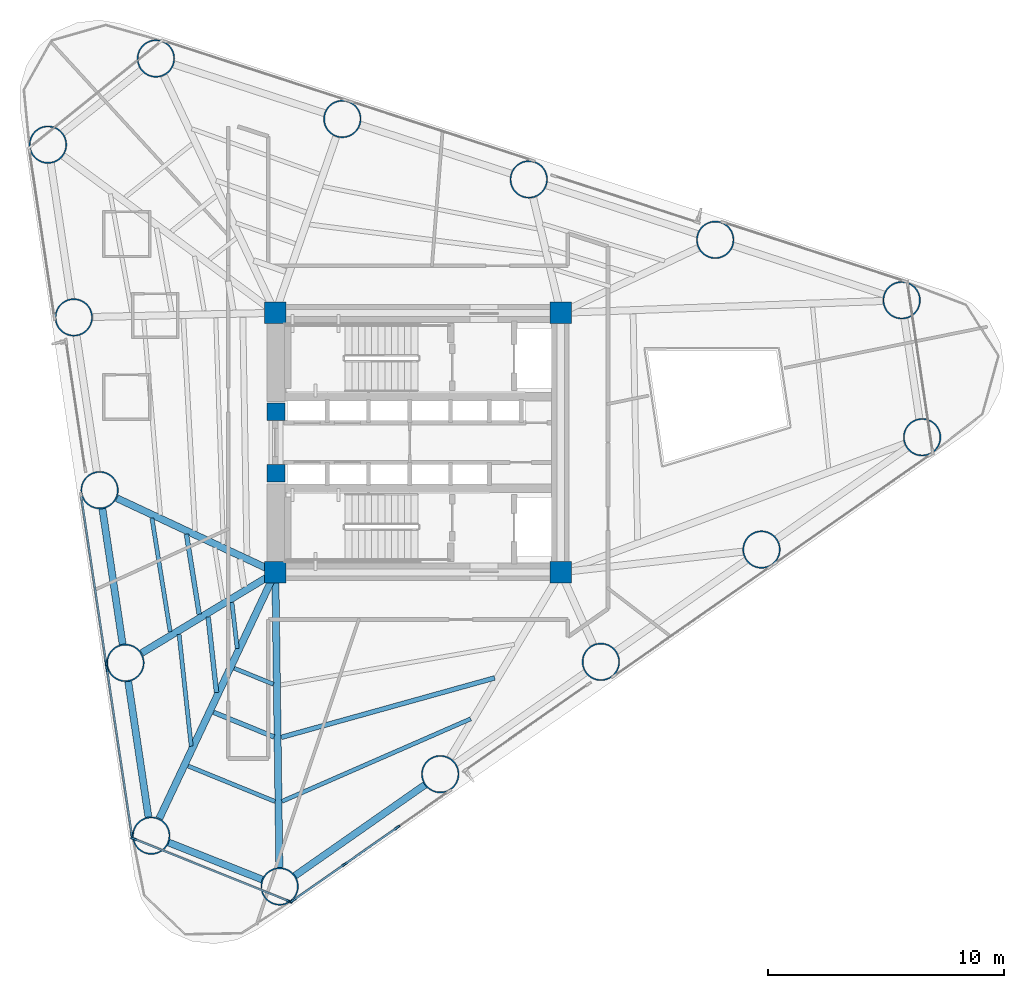
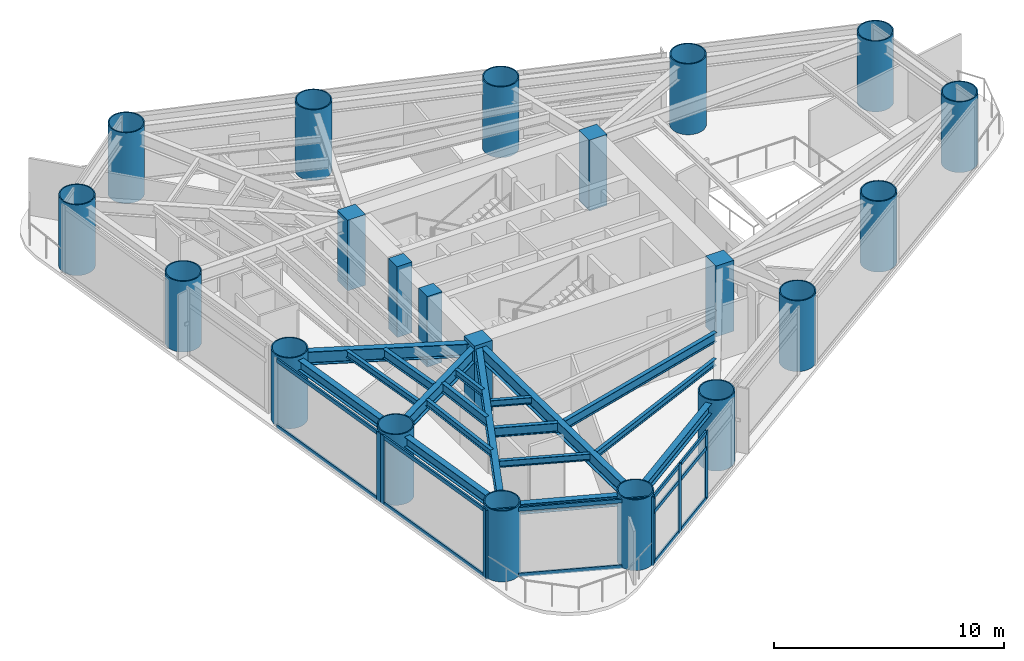
# One storey, part 1 of 9: 21 columns, 20 members, 18 beams, 4 elements without a shape of their own.
"""IFC4 building model written with IfcOpenShell, lengths in metres."""

import ifcopenshell
import ifcopenshell.guid

model = None  # the IFC model being written
_history = None  # IfcOwnerHistory: only IFC2X3 demands one
_inside = {}  # id of a spatial element -> (the spatial element, [elements in it])
_under = {}  # id of a project, library or spatial element -> (it, [spatial elements below it])
_declared = {}  # id of a project -> (the project, [libraries it declares])
_typed = {}  # id of a type object -> (the type object, [elements of that type])
_made_of = {}  # id of a material, layer set ... -> (it, [elements and type objects made of it])


def new_model(schema):
    """Start an empty IFC model of exactly this schema.

    Asked for "IFC4X3", IfcOpenShell would pick the latest addendum, in which some entities
    have other attributes; the version numbers below select the first issue.
    IFC2X3 requires an IfcOwnerHistory on every rooted entity: one is made here for all.
    """
    global model, _history
    if schema == "IFC4X3":
        model = ifcopenshell.file(schema_version=(4, 3, 0, 0))
    else:
        model = ifcopenshell.file(schema=schema)
    _inside.clear()
    _under.clear()
    _declared.clear()
    _typed.clear()
    _made_of.clear()
    _history = None
    if model.schema == "IFC2X3":
        org = make("IfcOrganization", Name="unknown")
        user = make(
            "IfcPersonAndOrganization",
            ThePerson=make("IfcPerson", FamilyName="unknown"),
            TheOrganization=org,
        )
        app = make(
            "IfcApplication",
            ApplicationDeveloper=org,
            Version="unknown",
            ApplicationFullName="unknown",
            ApplicationIdentifier="unknown",
        )
        _history = make(
            "IfcOwnerHistory",
            OwningUser=user,
            OwningApplication=app,
            ChangeAction="ADDED",
            CreationDate=0,
        )
    return model


def make(cls, **values):
    """One entity of the class cls with the attributes given. An attribute that is None is left unset."""
    return model.create_entity(
        cls, **{name: value for name, value in values.items() if value is not None}
    )


def rooted(cls, **values):
    """An entity with a GlobalId (a new one), such as an element, a storey or a relation."""
    return make(cls, GlobalId=ifcopenshell.guid.new(), OwnerHistory=_history, **values)


def si_unit(unit_type, name, prefix=None):
    """IfcSIUnit, for example si_unit("LENGTHUNIT", "METRE", prefix="MILLI")."""
    return make("IfcSIUnit", UnitType=unit_type, Prefix=prefix, Name=name)


def assignment(units):
    """IfcUnitAssignment: the units of a project."""
    return None if units is None else make("IfcUnitAssignment", Units=units)


def point(xyz):
    """IfcCartesianPoint."""
    return None if xyz is None else make("IfcCartesianPoint", Coordinates=xyz)


def direction(xyz):
    """IfcDirection."""
    return None if xyz is None else make("IfcDirection", DirectionRatios=xyz)


def frame(location, z_axis=None, x_axis=None):
    """IfcAxis2Placement3D, a coordinate frame: its origin and axes. An axis left out is left unset."""
    return make(
        "IfcAxis2Placement3D",
        Location=point(location),
        Axis=direction(z_axis),
        RefDirection=direction(x_axis),
    )


def frame_2d(location, x_axis=None):
    """IfcAxis2Placement2D, a coordinate frame in the plane: its origin and x axis."""
    return make(
        "IfcAxis2Placement2D", Location=point(location), RefDirection=direction(x_axis)
    )


def origin():
    """The frame at (0, 0, 0) with its axes left unset."""
    return frame((0.0, 0.0, 0.0))


def origin_2d():
    """The frame at (0, 0) in the plane with its x axis left unset."""
    return frame_2d((0.0, 0.0))


def place(relative_to, where):
    """IfcLocalPlacement: puts the frame where relative to a parent placement (None: the world)."""
    return make(
        "IfcLocalPlacement", PlacementRelTo=relative_to, RelativePlacement=where
    )


def context(
    kind, dimensions, precision=None, world=None, true_north=None, identifier=None
):
    """IfcGeometricRepresentationContext, for example the 3D "Model" context."""
    return make(
        "IfcGeometricRepresentationContext",
        ContextIdentifier=identifier,
        ContextType=kind,
        CoordinateSpaceDimension=dimensions,
        Precision=precision,
        WorldCoordinateSystem=world,
        TrueNorth=true_north,
    )


def subcontext(parent, identifier, kind, view, scale=None):
    """IfcGeometricRepresentationSubContext, for example "Body" below "Model"."""
    return make(
        "IfcGeometricRepresentationSubContext",
        ContextIdentifier=identifier,
        ContextType=kind,
        ParentContext=parent,
        TargetScale=scale,
        TargetView=view,
    )


def project(units=None, contexts=None):
    """IfcProject with its units and contexts."""
    return rooted(
        "IfcProject",
        Name="project",
        RepresentationContexts=contexts,
        UnitsInContext=assignment(units),
    )


def spatial(cls, under=None, at=None, **own):
    """A site, building, storey or space (cls), placed at a placement, below another one or the project."""
    s = rooted(cls, ObjectPlacement=at, **own)
    if under is not None:
        _under.setdefault(under.id(), (under, []))[1].append(s)
    return s


def profile(cls, at=None, kind="AREA", **sizes):
    """A parametric profile (cls). Its sizes go by their IFC names, for example OverallWidth=200.0."""
    return make(cls, ProfileType=kind, Position=at, **sizes)


def rectangle(**sizes):
    """IfcRectangleProfileDef."""
    return profile("IfcRectangleProfileDef", **sizes)


def hollow_circle(**sizes):
    """IfcCircleHollowProfileDef."""
    return profile("IfcCircleHollowProfileDef", **sizes)


def i_section(**sizes):
    """IfcIShapeProfileDef."""
    return profile("IfcIShapeProfileDef", **sizes)


def extrude(swept, where, along, depth):
    """IfcExtrudedAreaSolid: the profile swept, set in the frame where, extruded along a direction by depth."""
    return make(
        "IfcExtrudedAreaSolid",
        SweptArea=swept,
        Position=where,
        ExtrudedDirection=direction(along),
        Depth=depth,
    )


def shape(context_of_items, identifier, shape_type, items):
    """IfcShapeRepresentation: the items that make up one representation, for example the "Body"."""
    return make(
        "IfcShapeRepresentation",
        ContextOfItems=context_of_items,
        RepresentationIdentifier=identifier,
        RepresentationType=shape_type,
        Items=items,
    )


def source(mapping_origin, context_of_items, identifier, shape_type, items):
    """IfcRepresentationMap: a shape defined once, which mapped items show again and again."""
    return make(
        "IfcRepresentationMap",
        MappingOrigin=mapping_origin,
        MappedRepresentation=shape(context_of_items, identifier, shape_type, items),
    )


def transform(
    local_origin,
    x_axis=None,
    y_axis=None,
    z_axis=None,
    scale=None,
    scale2=None,
    scale3=None,
    uniform=True,
):
    """IfcCartesianTransformationOperator3D, or its non-uniform kind. x_axis, y_axis, z_axis: its Axis1, 2, 3."""
    if uniform:
        return make(
            "IfcCartesianTransformationOperator3D",
            Axis1=direction(x_axis),
            Axis2=direction(y_axis),
            LocalOrigin=point(local_origin),
            Scale=scale,
            Axis3=direction(z_axis),
        )
    return make(
        "IfcCartesianTransformationOperator3DnonUniform",
        Axis1=direction(x_axis),
        Axis2=direction(y_axis),
        LocalOrigin=point(local_origin),
        Scale=scale,
        Axis3=direction(z_axis),
        Scale2=scale2,
        Scale3=scale3,
    )


def mapped(mapping_source, mapping_target):
    """IfcMappedItem: shows the shape of a source again, moved by a transform."""
    return make(
        "IfcMappedItem", MappingSource=mapping_source, MappingTarget=mapping_target
    )


def material(Name=None, Category=None):
    """IfcMaterial."""
    return make("IfcMaterial", Name=Name, Category=Category)


def layer(
    of_material, thickness, ventilated=None, Name=None, Category=None, Priority=None
):
    """IfcMaterialLayer: one layer of a wall or slab, of a material (None: an air gap)."""
    return make(
        "IfcMaterialLayer",
        Material=of_material,
        LayerThickness=thickness,
        IsVentilated=ventilated,
        Name=Name,
        Category=Category,
        Priority=Priority,
    )


def layer_set(layers, Name=None):
    """IfcMaterialLayerSet."""
    return make("IfcMaterialLayerSet", MaterialLayers=layers, LayerSetName=Name)


def material_profile(
    of_material, cross_section, Name=None, Category=None, Priority=None
):
    """IfcMaterialProfile: a cross section and its material."""
    return make(
        "IfcMaterialProfile",
        Name=Name,
        Material=of_material,
        Profile=cross_section,
        Priority=Priority,
        Category=Category,
    )


def profile_set(profiles, Name=None, composite=None):
    """IfcMaterialProfileSet."""
    return make(
        "IfcMaterialProfileSet",
        Name=Name,
        MaterialProfiles=profiles,
        CompositeProfile=composite,
    )


def made_of(thing, what):
    """Note that an element or type object is made of a material, layer set ...; save() writes the relation."""
    if what is not None:
        _made_of.setdefault(what.id(), (what, []))[1].append(thing)
    return thing


def type_object(cls, material=None, **own):
    """A type object (cls), such as IfcWallType, which elements share."""
    return made_of(rooted(cls, **own), material)


def element(
    cls,
    number,
    at=None,
    inside=None,
    cuts=None,
    type_object=None,
    material=None,
    context=None,
    identifier="Body",
    shape_type=None,
    held_by="IfcProductDefinitionShape",
    body=None,
    shapes=None,
    **own,
):
    """One element of the class cls, such as IfcWall. Its Tag is "e" and its number.

    at: its placement. inside: the storey or other place that contains it. cuts: it is an
    opening in that element (IfcRelVoidsElement). A single representation is given by context,
    identifier, shape_type and body (its items); several are given by shapes. held_by: the class
    of the entity that holds the representations. save() writes the other relations.
    """
    e = rooted(cls, Tag="e%d" % number, ObjectPlacement=at, **own)
    if body is not None:
        shapes = [shape(context, identifier, shape_type, body)]
    if shapes is not None:
        e.Representation = make(held_by, Representations=shapes)
    if inside is not None:
        _inside.setdefault(inside.id(), (inside, []))[1].append(e)
    if cuts is not None:
        rooted(
            "IfcRelVoidsElement", RelatingBuildingElement=cuts, RelatedOpeningElement=e
        )
    if type_object is not None:
        _typed.setdefault(type_object.id(), (type_object, []))[1].append(e)
    return made_of(e, material)


def aggregate(whole, parts):
    """IfcRelAggregates: a whole, such as a stair, and the parts it consists of."""
    return rooted("IfcRelAggregates", RelatingObject=whole, RelatedObjects=parts)


def save(model, path):
    """Write the relations noted so far, then the file.

    IfcRelAggregates (storeys below a building ...), IfcRelContainedInSpatialStructure (elements
    in a storey), IfcRelDefinesByType, IfcRelAssociatesMaterial and IfcRelDeclares: one each for
    every whole, place, type object, material and project.
    """
    for whole, parts in _under.values():
        aggregate(whole, parts)
    for where, things in _inside.values():
        rooted(
            "IfcRelContainedInSpatialStructure",
            RelatedElements=things,
            RelatingStructure=where,
        )
    for kind, things in _typed.values():
        rooted("IfcRelDefinesByType", RelatedObjects=things, RelatingType=kind)
    for what, things in _made_of.values():
        rooted("IfcRelAssociatesMaterial", RelatedObjects=things, RelatingMaterial=what)
    for by, libraries in _declared.values():
        rooted("IfcRelDeclares", RelatingContext=by, RelatedDefinitions=libraries)
    model.write(path)


model = new_model("IFC4")

# Units and contexts
model_context = context("Model", 3, precision=1e-05, world=origin(), true_north=direction((0.0, 1.0)))
body_context = subcontext(model_context, "Body", "Model", "MODEL_VIEW")
ifc_project = project(units=[si_unit("LENGTHUNIT", "METRE"), si_unit("AREAUNIT", "SQUARE_METRE"), si_unit("VOLUMEUNIT", "CUBIC_METRE"), si_unit("PLANEANGLEUNIT", "RADIAN"), si_unit("MASSUNIT", "GRAM", prefix="KILO")], contexts=[model_context])

# Site, building, storey
site_placement = place(None, origin())
site = spatial("IfcSite", under=ifc_project, at=site_placement, CompositionType="ELEMENT")
building_placement = place(site_placement, origin())
building = spatial("IfcBuilding", under=site, at=building_placement, Name="Yunling Apex Tower", CompositionType="ELEMENT")
storey_placement = place(building_placement, frame((0.0, 0.0, 62.300048828125)))
storey = spatial("IfcBuildingStorey", under=building, at=storey_placement, Name="L16", CompositionType="ELEMENT", Elevation=62.300048828125)

# Columns
ifc_material_1 = material(Name="Concrete C60", Category="concrete")
ifc_material_profile_1 = material_profile(ifc_material_1, rectangle(XDim=0.89990234375, YDim=0.89990234375, at=origin_2d()))
ifc_profile_set_1 = profile_set([ifc_material_profile_1], Name="Concrete C60")
column_type_1 = type_object("IfcColumnType", Name="PC-SRC-3", PredefinedType="COLUMN", material=ifc_profile_set_1)
shared_shape_1 = source(origin(), body_context, "Body", "SweptSolid", [
    extrude(rectangle(XDim=0.89990234375, YDim=0.89990234375, at=origin_2d()), origin(), (0.0, 0.0, 1.0), 3.75),
])
for number, where, z_axis, x_axis, name in (
    (1, (-6.050048828125, -5.5, 0.0), (0.0, 0.0, 1.0), (1.0, 0.0, 0.0), "L16 Core Spine Column CC-SW"),
    (2, (6.050048828125, -5.5, 0.0), (0.0, 0.0, 1.0), (1.0, 0.0, 0.0), "L16 Core Spine Column CC-SE"),
    (3, (6.050048828125, 5.5, 0.0), (0.0, 0.0, 1.0), (1.0, 0.0, 0.0), "L16 Core Spine Column CC-NE"),
    (4, (-6.050048828125, 5.5, 0.0), (0.0, 0.0, 1.0), (1.0, 0.0, 0.0), "L16 Core Spine Column CC-NW"),
):
    element("IfcColumn", number, at=place(storey_placement, frame(where, z_axis=z_axis, x_axis=x_axis)), inside=storey, type_object=column_type_1, Name=name, PredefinedType="COLUMN", context=body_context, shape_type="MappedRepresentation", body=[
        mapped(shared_shape_1, transform((0.0, 0.0, 0.0), scale=1.0)),
    ])
ifc_material_2 = material(Name="Concrete C50", Category="concrete")
ifc_material_profile_2 = material_profile(ifc_material_2, rectangle(XDim=0.75, YDim=0.75, at=origin_2d()))
ifc_profile_set_2 = profile_set([ifc_material_profile_2], Name="Concrete C50")
column_type_2 = type_object("IfcColumnType", Name="PC-SRC-4", PredefinedType="COLUMN", material=ifc_profile_set_2)
shared_shape_2 = source(origin(), body_context, "Body", "SweptSolid", [
    extrude(rectangle(XDim=0.75, YDim=0.75, at=origin_2d()), origin(), (0.0, 0.0, 1.0), 3.75),
])
for number, where, z_axis, x_axis, name in (
    (5, (-6.02490234375, -1.300048828125, 0.0), (0.0, 0.0, 1.0), (1.0, 0.0, 0.0), "L16 Core West Portal Jamb Column S"),
    (6, (-6.02490234375, 1.300048828125, 0.0), (0.0, 0.0, 1.0), (1.0, 0.0, 0.0), "L16 Core West Portal Jamb Column N"),
):
    element("IfcColumn", number, at=place(storey_placement, frame(where, z_axis=z_axis, x_axis=x_axis)), inside=storey, type_object=column_type_2, Name=name, PredefinedType="COLUMN", context=body_context, shape_type="MappedRepresentation", body=[
        mapped(shared_shape_2, transform((0.0, 0.0, 0.0), scale=1.0)),
    ])
ifc_material_3 = material(Name="Steel Q390GJC", Category="steel")
ifc_material_profile_3 = material_profile(ifc_material_3, hollow_circle(Radius=0.800048828125, WallThickness=0.054931640625, at=origin_2d()))
ifc_profile_set_3 = profile_set([ifc_material_profile_3], Name="Steel Q390GJC")
column_type_3 = type_object("IfcColumnType", Name="MC-CFST-1", PredefinedType="COLUMN", material=ifc_profile_set_3)
shared_shape_3 = source(origin(), body_context, "Body", "SweptSolid", [
    extrude(hollow_circle(Radius=0.800048828125, WallThickness=0.054931640625, at=origin_2d()), origin(), (0.0, 0.0, 1.0), 3.75),
])
for number, where, z_axis, x_axis, name in (
    (7, (-5.8681640625, -18.8193359375, 0.0), (0.0, 0.0, 1.0), (1.0, 0.0, 0.0), "L16 Perimeter CFST Mega-Column P01"),
    (8, (0.941650390625, -14.05810546875, 0.0), (0.0, 0.0, 1.0), (1.0, 0.0, 0.0), "L16 Perimeter CFST Mega-Column P02"),
    (9, (7.751708984375, -9.296875, 0.0), (0.0, 0.0, 1.0), (1.0, 0.0, 0.0), "L16 Perimeter CFST Mega-Column P03"),
    (10, (14.5615234375, -4.535400390625, 0.0), (0.0, 0.0, 1.0), (1.0, 0.0, 0.0), "L16 Perimeter CFST Mega-Column P04"),
    (11, (21.371337890625, 0.225830078125, 0.0), (0.0, 0.0, 1.0), (1.0, 0.0, 0.0), "L16 Perimeter CFST Mega-Column P05"),
    (12, (20.50341796875, 6.032470703125, 0.0), (0.0, 0.0, 1.0), (1.0, 0.0, 0.0), "L16 Perimeter CFST Mega-Column P06"),
    (13, (12.59912109375, 8.594482421875, 0.0), (0.0, 0.0, 1.0), (1.0, 0.0, 0.0), "L16 Perimeter CFST Mega-Column P07"),
    (14, (4.69482421875, 11.15673828125, 0.0), (0.0, 0.0, 1.0), (1.0, 0.0, 0.0), "L16 Perimeter CFST Mega-Column P08"),
    (15, (-3.209716796875, 13.718994140625, 0.0), (0.0, 0.0, 1.0), (1.0, 0.0, 0.0), "L16 Perimeter CFST Mega-Column P09"),
    (16, (-11.114013671875, 16.28125, 0.0), (0.0, 0.0, 1.0), (1.0, 0.0, 0.0), "L16 Perimeter CFST Mega-Column P10"),
    (17, (-15.689208984375, 12.62939453125, 0.0), (0.0, 0.0, 1.0), (1.0, 0.0, 0.0), "L16 Perimeter CFST Mega-Column P11"),
    (18, (-14.594482421875, 5.305908203125, 0.0), (0.0, 0.0, 1.0), (1.0, 0.0, 0.0), "L16 Perimeter CFST Mega-Column P12"),
    (19, (-13.5, -2.017578125, 0.0), (0.0, 0.0, 1.0), (1.0, 0.0, 0.0), "L16 Perimeter CFST Mega-Column P13"),
    (20, (-12.405517578125, -9.341064453125, 0.0), (0.0, 0.0, 1.0), (1.0, 0.0, 0.0), "L16 Perimeter CFST Mega-Column P14"),
    (21, (-11.31103515625, -16.66455078125, 0.0), (0.0, 0.0, 1.0), (1.0, 0.0, 0.0), "L16 Perimeter CFST Mega-Column P15"),
):
    element("IfcColumn", number, at=place(storey_placement, frame(where, z_axis=z_axis, x_axis=x_axis)), inside=storey, type_object=column_type_3, Name=name, PredefinedType="COLUMN", context=body_context, shape_type="MappedRepresentation", body=[
        mapped(shared_shape_3, transform((0.0, 0.0, 0.0), scale=1.0)),
    ])

# Beams
ifc_material_4 = material(Name="Steel Q355B", Category="steel")
ifc_material_profile_4 = material_profile(ifc_material_4, i_section(OverallWidth=0.300048828125, OverallDepth=0.5400390625, WebThickness=0.011962890625, FlangeThickness=0.02001953125, FilletRadius=0.02392578125, at=origin_2d()))
ifc_profile_set_4 = profile_set([ifc_material_profile_4], Name="Steel Q355B")
beam_type_1 = type_object("IfcBeamType", Name="BP-SPN-1", PredefinedType="SPANDREL", material=ifc_profile_set_4)
shared_shape_4 = source(origin(), body_context, "Body", "SweptSolid", [
    extrude(i_section(OverallWidth=0.300048828125, OverallDepth=0.5400390625, WebThickness=0.011962890625, FlangeThickness=0.02001953125, FilletRadius=0.02392578125, at=origin_2d()), origin(), (0.0, 0.0, 1.0), 6.721435546875),
])
beam_1_placement = place(storey_placement, frame((-5.217529296875, -18.364501953125, 3.294921875), z_axis=(0.81955772083, 0.572996633697, 0.0), x_axis=(-0.572996633697, 0.81955772083, 0.0)))
element("IfcBeam", 22, at=beam_1_placement, inside=storey, type_object=beam_type_1, Name="L16 Perimeter Spandrel Beam 1", PredefinedType="SPANDREL", context=body_context, shape_type="MappedRepresentation", body=[
    mapped(shared_shape_4, transform((0.0, 0.0, 0.0), scale=1.0)),
])
shared_shape_5 = source(origin(), body_context, "Body", "SweptSolid", [
    extrude(i_section(OverallWidth=0.300048828125, OverallDepth=0.5400390625, WebThickness=0.011962890625, FlangeThickness=0.02001953125, FilletRadius=0.02392578125, at=origin_2d()), origin(), (0.0, 0.0, 1.0), 4.265869140625),
])
beam_2_placement = place(storey_placement, frame((-10.57275390625, -16.956787109375, 3.294921875), z_axis=(0.929781313093, -0.368112360323, 0.0), x_axis=(0.368112360323, 0.929781313093, 0.0)))
element("IfcBeam", 23, at=beam_2_placement, inside=storey, type_object=beam_type_1, Name="L16 Perimeter Spandrel Beam 15", PredefinedType="SPANDREL", context=body_context, shape_type="MappedRepresentation", body=[
    mapped(shared_shape_5, transform((0.0, 0.0, 0.0), scale=1.0)),
])
shared_shape_6 = source(origin(), body_context, "Body", "SweptSolid", [
    extrude(i_section(OverallWidth=0.300048828125, OverallDepth=0.5400390625, WebThickness=0.011962890625, FlangeThickness=0.02001953125, FilletRadius=0.02392578125, at=origin_2d()), origin(), (0.0, 0.0, 1.0), 5.81689453125),
])
for number, where, z_axis, x_axis, name in (
    (24, (-13.3828125, -2.802978515625, 3.294921875), (0.147823230204, -0.989013797989, 0.0), (0.989013797989, 0.147823230204, 0.0), "L16 Perimeter Spandrel Beam 13"),
    (25, (-12.2880859375, -10.12646484375, 3.294921875), (0.14778217558, -0.989019933359, 0.0), (0.989019933359, 0.14778217558, 0.0), "L16 Perimeter Spandrel Beam 14"),
):
    element("IfcBeam", number, at=place(storey_placement, frame(where, z_axis=z_axis, x_axis=x_axis)), inside=storey, type_object=beam_type_1, Name=name, PredefinedType="SPANDREL", context=body_context, shape_type="MappedRepresentation", body=[
        mapped(shared_shape_6, transform((0.0, 0.0, 0.0), scale=1.0)),
    ])
ifc_material_profile_5 = material_profile(ifc_material_4, i_section(OverallWidth=0.300048828125, OverallDepth=0.699951171875, WebThickness=0.012939453125, FlangeThickness=0.02392578125, FilletRadius=0.02587890625, at=origin_2d()))
ifc_profile_set_5 = profile_set([ifc_material_profile_5], Name="Steel Q355B")
beam_type_2 = type_object("IfcBeamType", Name="BG-PRI-3", PredefinedType="USERDEFINED", material=ifc_profile_set_5)
shared_shape_7 = source(origin(), body_context, "Body", "SweptSolid", [
    extrude(i_section(OverallWidth=0.300048828125, OverallDepth=0.699951171875, WebThickness=0.012939453125, FlangeThickness=0.02392578125, FilletRadius=0.02587890625, at=origin_2d()), origin(), (0.0, 0.0, 1.0), 12.4326171875),
])
beam_3_placement = place(storey_placement, frame((-5.879150390625, -18.011474609375, 3.21484375), z_axis=(-0.013647857779, 0.999906863652, 0.0), x_axis=(-0.999906863652, -0.013647857779, 0.0)))
element("IfcBeam", 26, at=beam_3_placement, inside=storey, type_object=beam_type_2, Name="L16 Radial Primary Girder R01", ObjectType="GIRDER", PredefinedType="USERDEFINED", context=body_context, shape_type="MappedRepresentation", body=[
    mapped(shared_shape_7, transform((0.0, 0.0, 0.0), scale=1.0)),
])
shared_shape_8 = source(origin(), body_context, "Body", "SweptSolid", [
    extrude(i_section(OverallWidth=0.300048828125, OverallDepth=0.699951171875, WebThickness=0.012939453125, FlangeThickness=0.02392578125, FilletRadius=0.02587890625, at=origin_2d()), origin(), (0.0, 0.0, 1.0), 7.335693359375),
])
beam_4_placement = place(storey_placement, frame((-12.76806640625, -2.35986328125, 3.21484375), z_axis=(0.905923640783, -0.423441090437, 0.0), x_axis=(0.423441090437, 0.905923640783, 0.0)))
element("IfcBeam", 27, at=beam_4_placement, inside=storey, type_object=beam_type_2, Name="L16 Radial Primary Girder R13", ObjectType="GIRDER", PredefinedType="USERDEFINED", context=body_context, shape_type="MappedRepresentation", body=[
    mapped(shared_shape_8, transform((0.0, 0.0, 0.0), scale=1.0)),
])
shared_shape_9 = source(origin(), body_context, "Body", "SweptSolid", [
    extrude(i_section(OverallWidth=0.300048828125, OverallDepth=0.699951171875, WebThickness=0.012939453125, FlangeThickness=0.02392578125, FilletRadius=0.02587890625, at=origin_2d()), origin(), (0.0, 0.0, 1.0), 6.5380859375),
])
beam_5_placement = place(storey_placement, frame((-11.714111328125, -8.923095703125, 3.21484375), z_axis=(0.855857690559, 0.517211381847, 0.0), x_axis=(-0.517211381847, 0.855857690559, 0.0)))
element("IfcBeam", 28, at=beam_5_placement, inside=storey, type_object=beam_type_2, Name="L16 Radial Primary Girder R14", ObjectType="GIRDER", PredefinedType="USERDEFINED", context=body_context, shape_type="MappedRepresentation", body=[
    mapped(shared_shape_9, transform((0.0, 0.0, 0.0), scale=1.0)),
])
shared_shape_10 = source(origin(), body_context, "Body", "SweptSolid", [
    extrude(i_section(OverallWidth=0.300048828125, OverallDepth=0.699951171875, WebThickness=0.012939453125, FlangeThickness=0.02392578125, FilletRadius=0.02587890625, at=origin_2d()), origin(), (0.0, 0.0, 1.0), 11.4541015625),
])
beam_6_placement = place(storey_placement, frame((-10.966796875, -15.93359375, 3.21484375), z_axis=(0.426297901301, 0.904582831667, 0.0), x_axis=(-0.904582831667, 0.426297901301, 0.0)))
element("IfcBeam", 29, at=beam_6_placement, inside=storey, type_object=beam_type_2, Name="L16 Radial Primary Girder R15", ObjectType="GIRDER", PredefinedType="USERDEFINED", context=body_context, shape_type="MappedRepresentation", body=[
    mapped(shared_shape_10, transform((0.0, 0.0, 0.0), scale=1.0)),
])
ifc_material_profile_6 = material_profile(ifc_material_4, i_section(OverallWidth=0.199951171875, OverallDepth=0.5, WebThickness=0.010009765625, FlangeThickness=0.01611328125, FilletRadius=0.02001953125, at=origin_2d()))
ifc_profile_set_6 = profile_set([ifc_material_profile_6], Name="Steel Q355B")
beam_type_3 = type_object("IfcBeamType", Name="BS-SEC-2", PredefinedType="BEAM", material=ifc_profile_set_6)
shared_shape_11 = source(origin(), body_context, "Body", "SweptSolid", [
    extrude(i_section(OverallWidth=0.199951171875, OverallDepth=0.5, WebThickness=0.010009765625, FlangeThickness=0.01611328125, FilletRadius=0.02001953125, at=origin_2d()), origin(), (0.0, 0.0, 1.0), 9.3935546875),
])
beam_7_placement = place(storey_placement, frame((-5.7998046875, -12.498779296875, 3.31494140625), z_axis=(0.963300137935, 0.268426608693, 0.0), x_axis=(-0.268426608693, 0.963300137935, 0.0)))
element("IfcBeam", 30, at=beam_7_placement, inside=storey, type_object=beam_type_3, Name="L16 Composite Floor Beam BS-1", PredefinedType="BEAM", context=body_context, shape_type="MappedRepresentation", body=[
    mapped(shared_shape_11, transform((0.0, 0.0, 0.0), scale=1.0)),
])
ifc_material_profile_7 = material_profile(ifc_material_4, i_section(OverallWidth=0.175048828125, OverallDepth=0.35009765625, WebThickness=0.007080078125, FlangeThickness=0.010986328125, FilletRadius=0.013916015625, at=origin_2d()))
ifc_profile_set_7 = profile_set([ifc_material_profile_7], Name="Steel Q355B")
beam_type_4 = type_object("IfcBeamType", Name="BJ-JST-1", PredefinedType="JOIST", material=ifc_profile_set_7)
shared_shape_12 = source(origin(), body_context, "Body", "SweptSolid", [
    extrude(i_section(OverallWidth=0.175048828125, OverallDepth=0.35009765625, WebThickness=0.007080078125, FlangeThickness=0.010986328125, FilletRadius=0.013916015625, at=origin_2d()), origin(), (0.0, 0.0, 1.0), 8.734375),
])
beam_8_placement = place(storey_placement, frame((-5.77001953125, -15.21240234375, 3.389892578125), z_axis=(0.916252252871, 0.400601808668, 0.0), x_axis=(-0.400601808668, 0.916252252871, 0.0)))
element("IfcBeam", 31, at=beam_8_placement, inside=storey, type_object=beam_type_4, Name="L16 Composite Floor Joist BJ1-1", PredefinedType="JOIST", context=body_context, shape_type="MappedRepresentation", body=[
    mapped(shared_shape_12, transform((0.0, 0.0, 0.0), scale=1.0)),
])
shared_shape_13 = source(origin(), body_context, "Body", "SweptSolid", [
    extrude(i_section(OverallWidth=0.199951171875, OverallDepth=0.5, WebThickness=0.010009765625, FlangeThickness=0.01611328125, FilletRadius=0.02001953125, at=origin_2d()), origin(), (0.0, 0.0, 1.0), 3.435546875),
])
beam_9_placement = place(storey_placement, frame((-9.81884765625, -3.884521484375, 3.31494140625), z_axis=(0.157619096627, -0.987499985002, 0.0), x_axis=(0.987499985002, 0.157619096627, 0.0)))
element("IfcBeam", 32, at=beam_9_placement, inside=storey, type_object=beam_type_3, Name="L16 Composite Floor Beam BS-13", PredefinedType="BEAM", context=body_context, shape_type="MappedRepresentation", body=[
    mapped(shared_shape_13, transform((0.0, 0.0, 0.0), scale=1.0)),
])
shared_shape_14 = source(origin(), body_context, "Body", "SweptSolid", [
    extrude(i_section(OverallWidth=0.175048828125, OverallDepth=0.35009765625, WebThickness=0.007080078125, FlangeThickness=0.010986328125, FilletRadius=0.013916015625, at=origin_2d()), origin(), (0.0, 0.0, 1.0), 4.881591796875),
])
beam_10_placement = place(storey_placement, frame((-11.28076171875, -3.201171875, 3.389892578125), z_axis=(0.158240169421, -0.987400652614, 0.0), x_axis=(0.987400652614, 0.158240169421, 0.0)))
element("IfcBeam", 33, at=beam_10_placement, inside=storey, type_object=beam_type_4, Name="L16 Composite Floor Joist BJ1-13", PredefinedType="JOIST", context=body_context, shape_type="MappedRepresentation", body=[
    mapped(shared_shape_14, transform((0.0, 0.0, 0.0), scale=1.0)),
])
shared_shape_15 = source(origin(), body_context, "Body", "SweptSolid", [
    extrude(i_section(OverallWidth=0.199951171875, OverallDepth=0.5, WebThickness=0.010009765625, FlangeThickness=0.01611328125, FilletRadius=0.02001953125, at=origin_2d()), origin(), (0.0, 0.0, 1.0), 3.222412109375),
])
beam_11_placement = place(storey_placement, frame((-8.898681640625, -7.391357421875, 3.31494140625), z_axis=(0.110315104592, -0.993896663491, 0.0), x_axis=(0.993896663491, 0.110315104592, 0.0)))
element("IfcBeam", 34, at=beam_11_placement, inside=storey, type_object=beam_type_3, Name="L16 Composite Floor Beam BS-14", PredefinedType="BEAM", context=body_context, shape_type="MappedRepresentation", body=[
    mapped(shared_shape_15, transform((0.0, 0.0, 0.0), scale=1.0)),
])
shared_shape_16 = source(origin(), body_context, "Body", "SweptSolid", [
    extrude(i_section(OverallWidth=0.175048828125, OverallDepth=0.35009765625, WebThickness=0.007080078125, FlangeThickness=0.010986328125, FilletRadius=0.013916015625, at=origin_2d()), origin(), (0.0, 0.0, 1.0), 4.765869140625),
])
beam_12_placement = place(storey_placement, frame((-10.130126953125, -8.135498046875, 3.389892578125), z_axis=(0.107732282993, -0.994179941058, 0.0), x_axis=(0.994179941058, 0.107732282993, 0.0)))
element("IfcBeam", 35, at=beam_12_placement, inside=storey, type_object=beam_type_4, Name="L16 Composite Floor Joist BJ1-14", PredefinedType="JOIST", context=body_context, shape_type="MappedRepresentation", body=[
    mapped(shared_shape_16, transform((0.0, 0.0, 0.0), scale=1.0)),
])
shared_shape_17 = source(origin(), body_context, "Body", "SweptSolid", [
    extrude(i_section(OverallWidth=0.175048828125, OverallDepth=0.35009765625, WebThickness=0.007080078125, FlangeThickness=0.010986328125, FilletRadius=0.013916015625, at=origin_2d()), origin(), (0.0, 0.0, 1.0), 1.95947265625),
])
beam_13_placement = place(storey_placement, frame((-7.890625, -6.782470703125, 3.389892578125), z_axis=(0.11512063256, -0.993351518829, 0.0), x_axis=(0.993351518829, 0.11512063256, 0.0)))
element("IfcBeam", 36, at=beam_13_placement, inside=storey, type_object=beam_type_4, Name="L16 Composite Floor Joist BJ3-14", PredefinedType="JOIST", context=body_context, shape_type="MappedRepresentation", body=[
    mapped(shared_shape_17, transform((0.0, 0.0, 0.0), scale=1.0)),
])
shared_shape_18 = source(origin(), body_context, "Body", "SweptSolid", [
    extrude(i_section(OverallWidth=0.199951171875, OverallDepth=0.5, WebThickness=0.010009765625, FlangeThickness=0.01611328125, FilletRadius=0.02001953125, at=origin_2d()), origin(), (0.0, 0.0, 1.0), 2.77294921875),
])
beam_14_placement = place(storey_placement, frame((-8.670166015625, -11.43505859375, 3.31494140625), z_axis=(0.926108309986, -0.377257734413, 0.0), x_axis=(0.377257734413, 0.926108309986, 0.0)))
element("IfcBeam", 37, at=beam_14_placement, inside=storey, type_object=beam_type_3, Name="L16 Composite Floor Beam BS-15", PredefinedType="BEAM", context=body_context, shape_type="MappedRepresentation", body=[
    mapped(shared_shape_18, transform((0.0, 0.0, 0.0), scale=1.0)),
])
shared_shape_19 = source(origin(), body_context, "Body", "SweptSolid", [
    extrude(i_section(OverallWidth=0.175048828125, OverallDepth=0.35009765625, WebThickness=0.007080078125, FlangeThickness=0.010986328125, FilletRadius=0.013916015625, at=origin_2d()), origin(), (0.0, 0.0, 1.0), 3.97412109375),
])
beam_15_placement = place(storey_placement, frame((-9.744384765625, -13.714599609375, 3.389892578125), z_axis=(0.925887115862, -0.377800276178, 0.0), x_axis=(0.377800276178, 0.925887115862, 0.0)))
element("IfcBeam", 38, at=beam_15_placement, inside=storey, type_object=beam_type_4, Name="L16 Composite Floor Joist BJ1-15", PredefinedType="JOIST", context=body_context, shape_type="MappedRepresentation", body=[
    mapped(shared_shape_19, transform((0.0, 0.0, 0.0), scale=1.0)),
])
shared_shape_20 = source(origin(), body_context, "Body", "SweptSolid", [
    extrude(i_section(OverallWidth=0.175048828125, OverallDepth=0.35009765625, WebThickness=0.007080078125, FlangeThickness=0.010986328125, FilletRadius=0.013916015625, at=origin_2d()), origin(), (0.0, 0.0, 1.0), 1.790283203125),
])
beam_16_placement = place(storey_placement, frame((-7.791259765625, -9.56982421875, 3.389892578125), z_axis=(0.926469549023, -0.376369731425, 0.0), x_axis=(0.376369731425, 0.926469549023, 0.0)))
element("IfcBeam", 39, at=beam_16_placement, inside=storey, type_object=beam_type_4, Name="L16 Composite Floor Joist BJ3-15", PredefinedType="JOIST", context=body_context, shape_type="MappedRepresentation", body=[
    mapped(shared_shape_20, transform((0.0, 0.0, 0.0), scale=1.0)),
])

# Curtain wall, members
ifc_material_5 = material(Name="Bronze anodised aluminium", Category="aluminium")
ifc_layer = layer(ifc_material_5, 0.260009765625)
ifc_layer_set = layer_set([ifc_layer], Name="Bronze anodised aluminium")
curtain_wall_type = type_object("IfcCurtainWallType", Name="CW-SYS-2", PredefinedType="NOTDEFINED", material=ifc_layer_set)
curtain_wall_1_placement = place(storey_placement, origin())
curtain_wall_1 = element("IfcCurtainWall", 40, at=curtain_wall_1_placement, inside=storey, type_object=curtain_wall_type, Name="CW-L16-F1-B1", PredefinedType="NOTDEFINED")
ifc_material_profile_8 = material_profile(ifc_material_5, rectangle(XDim=0.0849609375, YDim=0.260009765625, at=origin_2d()))
ifc_profile_set_8 = profile_set([ifc_material_profile_8], Name="Bronze anodised aluminium")
member_type_1 = type_object("IfcMemberType", Name="CW-MUL-2", PredefinedType="MULLION", material=ifc_profile_set_8)
shared_shape_21 = source(origin(), body_context, "Body", "SweptSolid", [
    extrude(rectangle(XDim=0.0849609375, YDim=0.260009765625, at=origin_2d()), origin(), (0.0, 0.0, 1.0), 3.6650390625),
])
member_1_placement = place(storey_placement, frame((-5.3037109375, -19.412841796875, -0.050048828125), z_axis=(0.0, 0.0, 1.0), x_axis=(-0.573004358875, 0.819552319691, 0.0)))
member_1 = element("IfcMember", 41, at=member_1_placement, type_object=member_type_1, Name="CW-SYS-2 mullion 1", PredefinedType="MULLION", context=body_context, shape_type="MappedRepresentation", body=[
    mapped(shared_shape_21, transform((0.0, 0.0, 0.0), scale=1.0)),
])
member_2_placement = place(storey_placement, frame((-3.1123046875, -17.880859375, -0.050048828125), z_axis=(0.0, 0.0, 1.0), x_axis=(-0.573004358875, 0.819552319691, 0.0)))
member_2 = element("IfcMember", 42, at=member_2_placement, type_object=member_type_1, Name="CW-SYS-2 mullion 2", PredefinedType="MULLION", context=body_context, shape_type="MappedRepresentation", body=[
    mapped(shared_shape_21, transform((0.0, 0.0, 0.0), scale=1.0)),
])
member_3_placement = place(storey_placement, frame((-0.885986328125, -16.32421875, -0.050048828125), z_axis=(0.0, 0.0, 1.0), x_axis=(-0.573004358875, 0.819552319691, 0.0)))
member_3 = element("IfcMember", 43, at=member_3_placement, type_object=member_type_1, Name="CW-SYS-2 mullion 3", PredefinedType="MULLION", context=body_context, shape_type="MappedRepresentation", body=[
    mapped(shared_shape_21, transform((0.0, 0.0, 0.0), scale=1.0)),
])

# Curtain wall, member
curtain_wall_2_placement = place(storey_placement, origin())
curtain_wall_2 = element("IfcCurtainWall", 44, at=curtain_wall_2_placement, inside=storey, type_object=curtain_wall_type, Name="CW-L16-F3-B3", PredefinedType="NOTDEFINED")
member_4_placement = place(storey_placement, frame((-13.224853515625, -9.339599609375, -0.050048828125), z_axis=(0.0, 0.0, 1.0), x_axis=(0.98901508166, 0.147814641525, 0.0)))
member_4 = element("IfcMember", 45, at=member_4_placement, type_object=member_type_1, Name="CW-SYS-2 mullion 2", PredefinedType="MULLION", context=body_context, shape_type="MappedRepresentation", body=[
    mapped(shared_shape_21, transform((0.0, 0.0, 0.0), scale=1.0)),
])

# Curtain wall, members
curtain_wall_3_placement = place(storey_placement, origin())
curtain_wall_3 = element("IfcCurtainWall", 46, at=curtain_wall_3_placement, inside=storey, type_object=curtain_wall_type, Name="CW-L16-F3-B4", PredefinedType="NOTDEFINED")
member_5_placement = place(storey_placement, frame((-13.1884765625, -9.58203125, -0.050048828125), z_axis=(0.0, 0.0, 1.0), x_axis=(0.989017099422, 0.14780114022, 0.0)))
member_5 = element("IfcMember", 47, at=member_5_placement, type_object=member_type_1, Name="CW-SYS-2 mullion 1", PredefinedType="MULLION", context=body_context, shape_type="MappedRepresentation", body=[
    mapped(shared_shape_21, transform((0.0, 0.0, 0.0), scale=1.0)),
])
member_6_placement = place(storey_placement, frame((-12.13037109375, -16.6630859375, -0.050048828125), z_axis=(0.0, 0.0, 1.0), x_axis=(0.989017099422, 0.14780114022, 0.0)))
member_6 = element("IfcMember", 48, at=member_6_placement, type_object=member_type_1, Name="CW-SYS-2 mullion 2", PredefinedType="MULLION", context=body_context, shape_type="MappedRepresentation", body=[
    mapped(shared_shape_21, transform((0.0, 0.0, 0.0), scale=1.0)),
])

curtain_wall_4_placement = place(storey_placement, origin())
curtain_wall_4 = element("IfcCurtainWall", 49, at=curtain_wall_4_placement, inside=storey, type_object=curtain_wall_type, Name="CW-L16-CRN3", PredefinedType="NOTDEFINED")
member_7_placement = place(storey_placement, frame((-12.052978515625, -16.79736328125, -0.050048828125), z_axis=(0.0, 0.0, 1.0), x_axis=(0.373143693329, 0.927773562961, 0.0)))
member_7 = element("IfcMember", 50, at=member_7_placement, type_object=member_type_1, Name="CW-SYS-2 mullion 1", PredefinedType="MULLION", context=body_context, shape_type="MappedRepresentation", body=[
    mapped(shared_shape_21, transform((0.0, 0.0, 0.0), scale=1.0)),
])
member_8_placement = place(storey_placement, frame((-5.454833984375, -19.450927734375, -0.050048828125), z_axis=(0.0, 0.0, 1.0), x_axis=(0.373143693329, 0.927773562961, 0.0)))
member_8 = element("IfcMember", 51, at=member_8_placement, type_object=member_type_1, Name="CW-SYS-2 mullion 2", PredefinedType="MULLION", context=body_context, shape_type="MappedRepresentation", body=[
    mapped(shared_shape_21, transform((0.0, 0.0, 0.0), scale=1.0)),
])

# Member
ifc_material_profile_9 = material_profile(ifc_material_5, rectangle(XDim=0.0849609375, YDim=0.199951171875, at=origin_2d()))
ifc_profile_set_9 = profile_set([ifc_material_profile_9], Name="Bronze anodised aluminium")
member_type_2 = type_object("IfcMemberType", Name="CW-TRN-2", PredefinedType="USERDEFINED", material=ifc_profile_set_9)
shared_shape_22 = source(origin(), body_context, "Body", "SweptSolid", [
    extrude(rectangle(XDim=0.0849609375, YDim=0.199951171875, at=origin_2d()), origin(), (0.0, 0.0, 1.0), 2.597412109375),
])
member_9_placement = place(storey_placement, frame((-5.272216796875, -19.39111328125, 0.04248046875), z_axis=(0.819510013096, 0.573064864073, 0.0), x_axis=(-0.573064864073, 0.819510013096, 0.0)))
member_9 = element("IfcMember", 52, at=member_9_placement, type_object=member_type_2, Name="CW-SYS-2 transom 1.1", ObjectType="TRANSOM", PredefinedType="USERDEFINED", context=body_context, shape_type="MappedRepresentation", body=[
    mapped(shared_shape_22, transform((0.0, 0.0, 0.0), scale=1.0)),
])

member_10_placement = place(storey_placement, frame((-5.272216796875, -19.39111328125, 2.71484375), z_axis=(0.819510013096, 0.573064864073, 0.0), x_axis=(-0.573064864073, 0.819510013096, 0.0)))
member_10 = element("IfcMember", 53, at=member_10_placement, type_object=member_type_2, Name="CW-SYS-2 transom 1.2", ObjectType="TRANSOM", PredefinedType="USERDEFINED", context=body_context, shape_type="MappedRepresentation", body=[
    mapped(shared_shape_22, transform((0.0, 0.0, 0.0), scale=1.0)),
])

member_11_placement = place(storey_placement, frame((-5.272216796875, -19.39111328125, 3.5224609375), z_axis=(0.819510013096, 0.573064864073, 0.0), x_axis=(-0.573064864073, 0.819510013096, 0.0)))
member_11 = element("IfcMember", 54, at=member_11_placement, type_object=member_type_2, Name="CW-SYS-2 transom 1.3", ObjectType="TRANSOM", PredefinedType="USERDEFINED", context=body_context, shape_type="MappedRepresentation", body=[
    mapped(shared_shape_22, transform((0.0, 0.0, 0.0), scale=1.0)),
])

shared_shape_23 = source(origin(), body_context, "Body", "SweptSolid", [
    extrude(rectangle(XDim=0.0849609375, YDim=0.199951171875, at=origin_2d()), origin(), (0.0, 0.0, 1.0), 2.639892578125),
])
member_12_placement = place(storey_placement, frame((-3.080810546875, -17.85888671875, 0.04248046875), z_axis=(0.81955329767, 0.573002960095, 0.0), x_axis=(-0.573002960095, 0.81955329767, 0.0)))
member_12 = element("IfcMember", 55, at=member_12_placement, type_object=member_type_2, Name="CW-SYS-2 transom 2.1", ObjectType="TRANSOM", PredefinedType="USERDEFINED", context=body_context, shape_type="MappedRepresentation", body=[
    mapped(shared_shape_23, transform((0.0, 0.0, 0.0), scale=1.0)),
])

member_13_placement = place(storey_placement, frame((-3.080810546875, -17.85888671875, 2.71484375), z_axis=(0.81955329767, 0.573002960095, 0.0), x_axis=(-0.573002960095, 0.81955329767, 0.0)))
member_13 = element("IfcMember", 56, at=member_13_placement, type_object=member_type_2, Name="CW-SYS-2 transom 2.2", ObjectType="TRANSOM", PredefinedType="USERDEFINED", context=body_context, shape_type="MappedRepresentation", body=[
    mapped(shared_shape_23, transform((0.0, 0.0, 0.0), scale=1.0)),
])

member_14_placement = place(storey_placement, frame((-3.080810546875, -17.85888671875, 3.5224609375), z_axis=(0.81955329767, 0.573002960095, 0.0), x_axis=(-0.573002960095, 0.81955329767, 0.0)))
member_14 = element("IfcMember", 57, at=member_14_placement, type_object=member_type_2, Name="CW-SYS-2 transom 2.3", ObjectType="TRANSOM", PredefinedType="USERDEFINED", context=body_context, shape_type="MappedRepresentation", body=[
    mapped(shared_shape_23, transform((0.0, 0.0, 0.0), scale=1.0)),
])

aggregate(curtain_wall_1, [member_1, member_2, member_3, member_9, member_10, member_11, member_12, member_13, member_14])

shared_shape_24 = source(origin(), body_context, "Body", "SweptSolid", [
    extrude(rectangle(XDim=0.0849609375, YDim=0.199951171875, at=origin_2d()), origin(), (0.0, 0.0, 1.0), 7.03515625),
])
member_15_placement = place(storey_placement, frame((-12.017578125, -16.8115234375, 0.04248046875), z_axis=(0.927768998615, -0.373155041784, 0.0), x_axis=(0.373155041784, 0.927768998615, 0.0)))
member_15 = element("IfcMember", 58, at=member_15_placement, type_object=member_type_2, Name="CW-SYS-2 transom 1.1", ObjectType="TRANSOM", PredefinedType="USERDEFINED", context=body_context, shape_type="MappedRepresentation", body=[
    mapped(shared_shape_24, transform((0.0, 0.0, 0.0), scale=1.0)),
])

member_16_placement = place(storey_placement, frame((-12.017578125, -16.8115234375, 3.5224609375), z_axis=(0.927768998615, -0.373155041784, 0.0), x_axis=(0.373155041784, 0.927768998615, 0.0)))
member_16 = element("IfcMember", 59, at=member_16_placement, type_object=member_type_2, Name="CW-SYS-2 transom 1.2", ObjectType="TRANSOM", PredefinedType="USERDEFINED", context=body_context, shape_type="MappedRepresentation", body=[
    mapped(shared_shape_24, transform((0.0, 0.0, 0.0), scale=1.0)),
])

aggregate(curtain_wall_4, [member_7, member_8, member_15, member_16])

shared_shape_25 = source(origin(), body_context, "Body", "SweptSolid", [
    extrude(rectangle(XDim=0.0849609375, YDim=0.199951171875, at=origin_2d()), origin(), (0.0, 0.0, 1.0), 7.08349609375),
])
member_17_placement = place(storey_placement, frame((-14.27734375, -2.296142578125, 0.04248046875), z_axis=(0.147792672874, -0.989018364766, 0.0), x_axis=(0.989018364766, 0.147792672874, 0.0)))
member_17 = element("IfcMember", 60, at=member_17_placement, type_object=member_type_2, Name="CW-SYS-2 transom 1.1", ObjectType="TRANSOM", PredefinedType="USERDEFINED", context=body_context, shape_type="MappedRepresentation", body=[
    mapped(shared_shape_25, transform((0.0, 0.0, 0.0), scale=1.0)),
])

member_18_placement = place(storey_placement, frame((-14.27734375, -2.296142578125, 3.5224609375), z_axis=(0.147792672874, -0.989018364766, 0.0), x_axis=(0.989018364766, 0.147792672874, 0.0)))
member_18 = element("IfcMember", 61, at=member_18_placement, type_object=member_type_2, Name="CW-SYS-2 transom 1.2", ObjectType="TRANSOM", PredefinedType="USERDEFINED", context=body_context, shape_type="MappedRepresentation", body=[
    mapped(shared_shape_25, transform((0.0, 0.0, 0.0), scale=1.0)),
])

aggregate(curtain_wall_2, [member_4, member_17, member_18])

shared_shape_26 = source(origin(), body_context, "Body", "SweptSolid", [
    extrude(rectangle(XDim=0.0849609375, YDim=0.199951171875, at=origin_2d()), origin(), (0.0, 0.0, 1.0), 7.083251953125),
])
member_19_placement = place(storey_placement, frame((-13.182861328125, -9.619873046875, 0.04248046875), z_axis=(0.147797711012, -0.989017611886, 0.0), x_axis=(0.989017611886, 0.147797711012, 0.0)))
member_19 = element("IfcMember", 62, at=member_19_placement, type_object=member_type_2, Name="CW-SYS-2 transom 1.1", ObjectType="TRANSOM", PredefinedType="USERDEFINED", context=body_context, shape_type="MappedRepresentation", body=[
    mapped(shared_shape_26, transform((0.0, 0.0, 0.0), scale=1.0)),
])

member_20_placement = place(storey_placement, frame((-13.182861328125, -9.619873046875, 3.5224609375), z_axis=(0.147797711012, -0.989017611886, 0.0), x_axis=(0.989017611886, 0.147797711012, 0.0)))
member_20 = element("IfcMember", 63, at=member_20_placement, type_object=member_type_2, Name="CW-SYS-2 transom 1.2", ObjectType="TRANSOM", PredefinedType="USERDEFINED", context=body_context, shape_type="MappedRepresentation", body=[
    mapped(shared_shape_26, transform((0.0, 0.0, 0.0), scale=1.0)),
])

aggregate(curtain_wall_3, [member_5, member_6, member_19, member_20])

save(model, "model.ifc")
